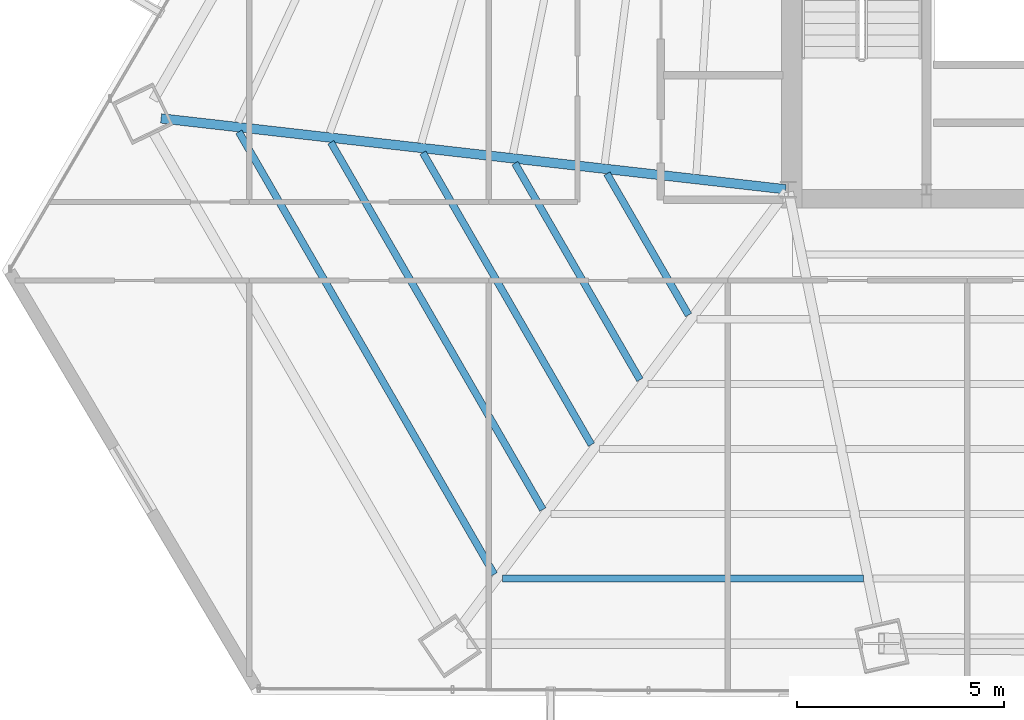
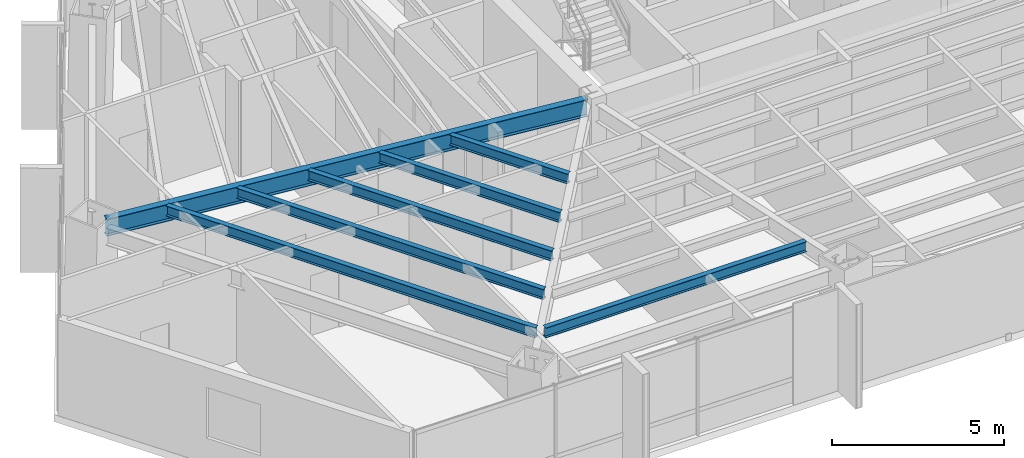
# One storey, part 7 of 37: 7 beams.
"""IFC4 building model written with IfcOpenShell, lengths in metres."""

from ifc_helpers import new_model, si_unit, direction, frame, origin, origin_2d, place, context, subcontext, project, spatial, i_section, extrude, source, transform, mapped, material, material_profile, profile_set, type_object, type_shapes, element, save


model = new_model("IFC4")

# Units and contexts
model_context = context("Model", 3, precision=1e-05, world=origin(), true_north=direction((0.0, 1.0)))
body_context = subcontext(model_context, "Body", "Model", "MODEL_VIEW")
ifc_project = project(units=[si_unit("LENGTHUNIT", "METRE"), si_unit("AREAUNIT", "SQUARE_METRE"), si_unit("VOLUMEUNIT", "CUBIC_METRE"), si_unit("PLANEANGLEUNIT", "RADIAN"), si_unit("MASSUNIT", "GRAM", prefix="KILO")], contexts=[model_context])

# Site, building, storey
site_placement = place(None, origin())
site = spatial("IfcSite", under=ifc_project, at=site_placement, CompositionType="ELEMENT")
building_placement = place(site_placement, origin())
building = spatial("IfcBuilding", under=site, at=building_placement, Name="Caelisora Broadcast Tower", CompositionType="ELEMENT")
storey_placement = place(building_placement, frame((0.0, 0.0, 105.39990234375)))
storey = spatial("IfcBuildingStorey", under=building, at=storey_placement, Name="L27", CompositionType="ELEMENT", Elevation=105.39990234375)

# Beams
ifc_material = material(Name="Steel Grade 350 (AS/NZS 3679.1)", Category="steel")
ifc_material_profile_1 = material_profile(ifc_material, i_section(OverallWidth=0.22802734375, OverallDepth=0.602294921875, WebThickness=0.010498046875, FlangeThickness=0.014892578125, at=origin_2d()), Name="Steel Grade 350 (AS/NZS 3679.1)")
ifc_profile_set_1 = profile_set([ifc_material_profile_1], Name="Steel Grade 350 (AS/NZS 3679.1)")
beam_type_1 = type_object("IfcBeamType", Name="PG04", PredefinedType="BEAM", material=ifc_profile_set_1)
shared_shape_1 = source(origin(), body_context, "Body", "SweptSolid", [
    extrude(i_section(OverallWidth=0.22802734375, OverallDepth=0.602294921875, WebThickness=0.010498046875, FlangeThickness=0.014892578125, at=origin_2d()), origin(), (0.0, 0.0, 1.0), 15.215576171875),
])
type_shapes(beam_type_1, [shared_shape_1])
beam_1_placement = place(storey_placement, frame((30.4404296875, 17.40673828125, 3.098876953125), z_axis=(-0.993612330494, 0.112847404447, 0.0), x_axis=(-0.112847404447, -0.993612330494, 0.0)))
element("IfcBeam", 1, at=beam_1_placement, inside=storey, type_object=beam_type_1, Name="L27 beam PG04", PredefinedType="BEAM", context=body_context, shape_type="MappedRepresentation", body=[
    mapped(shared_shape_1, transform((0.0, 0.0, 0.0), scale=1.0)),
])
ifc_material_profile_2 = material_profile(ifc_material, i_section(OverallWidth=0.172119140625, OverallDepth=0.358642578125, WebThickness=0.008056640625, FlangeThickness=0.012939453125, at=origin_2d()), Name="Steel Grade 350 (AS/NZS 3679.1)")
ifc_profile_set_2 = profile_set([ifc_material_profile_2], Name="Steel Grade 350 (AS/NZS 3679.1)")
beam_type_2 = type_object("IfcBeamType", Name="SB02", PredefinedType="JOIST", material=ifc_profile_set_2)
shared_shape_2 = source(origin(), body_context, "Body", "SweptSolid", [
    extrude(i_section(OverallWidth=0.172119140625, OverallDepth=0.358642578125, WebThickness=0.008056640625, FlangeThickness=0.012939453125, at=origin_2d()), origin(), (0.0, 0.0, 1.0), 3.949462890625),
])
beam_2_placement = place(storey_placement, frame((26.113525390625, 17.785888671875, 3.220703125), z_axis=(0.500041729889, -0.866001309681, 0.0), x_axis=(0.866001309681, 0.500041729889, 0.0)))
element("IfcBeam", 2, at=beam_2_placement, inside=storey, type_object=beam_type_2, Name="L27 beam SB02", PredefinedType="JOIST", context=body_context, shape_type="MappedRepresentation", body=[
    mapped(shared_shape_2, transform((0.0, 0.0, 0.0), scale=1.0)),
])
shared_shape_3 = source(origin(), body_context, "Body", "SweptSolid", [
    extrude(i_section(OverallWidth=0.172119140625, OverallDepth=0.358642578125, WebThickness=0.008056640625, FlangeThickness=0.012939453125, at=origin_2d()), origin(), (0.0, 0.0, 1.0), 6.0537109375),
])
beam_3_placement = place(storey_placement, frame((23.8857421875, 18.038818359375, 3.220703125), z_axis=(0.499999404726, -0.866025747466, 0.0), x_axis=(0.866025747466, 0.499999404726, 0.0)))
element("IfcBeam", 3, at=beam_3_placement, inside=storey, type_object=beam_type_2, Name="L27 beam SB02", PredefinedType="JOIST", context=body_context, shape_type="MappedRepresentation", body=[
    mapped(shared_shape_3, transform((0.0, 0.0, 0.0), scale=1.0)),
])
shared_shape_4 = source(origin(), body_context, "Body", "SweptSolid", [
    extrude(i_section(OverallWidth=0.172119140625, OverallDepth=0.358642578125, WebThickness=0.008056640625, FlangeThickness=0.012939453125, at=origin_2d()), origin(), (0.0, 0.0, 1.0), 8.158203125),
])
beam_4_placement = place(storey_placement, frame((21.657958984375, 18.2919921875, 3.220703125), z_axis=(0.50000135923, -0.866024619031, 0.0), x_axis=(0.866024619031, 0.50000135923, 0.0)))
element("IfcBeam", 4, at=beam_4_placement, inside=storey, type_object=beam_type_2, Name="L27 beam SB02", PredefinedType="JOIST", context=body_context, shape_type="MappedRepresentation", body=[
    mapped(shared_shape_4, transform((0.0, 0.0, 0.0), scale=1.0)),
])
shared_shape_5 = source(origin(), body_context, "Body", "SweptSolid", [
    extrude(i_section(OverallWidth=0.172119140625, OverallDepth=0.358642578125, WebThickness=0.008056640625, FlangeThickness=0.012939453125, at=origin_2d()), origin(), (0.0, 0.0, 1.0), 10.262939453125),
])
beam_5_placement = place(storey_placement, frame((19.429931640625, 18.544921875, 3.220703125), z_axis=(0.499992211244, -0.866029900578, 0.0), x_axis=(0.866029900578, 0.499992211244, 0.0)))
element("IfcBeam", 5, at=beam_5_placement, inside=storey, type_object=beam_type_2, Name="L27 beam SB02", PredefinedType="JOIST", context=body_context, shape_type="MappedRepresentation", body=[
    mapped(shared_shape_5, transform((0.0, 0.0, 0.0), scale=1.0)),
])
shared_shape_6 = source(origin(), body_context, "Body", "SweptSolid", [
    extrude(i_section(OverallWidth=0.172119140625, OverallDepth=0.358642578125, WebThickness=0.008056640625, FlangeThickness=0.012939453125, at=origin_2d()), origin(), (0.0, 0.0, 1.0), 12.367431640625),
])
beam_6_placement = place(storey_placement, frame((17.2021484375, 18.798095703125, 3.220703125), z_axis=(0.49999472462, -0.866028449505, 0.0), x_axis=(0.866028449505, 0.49999472462, 0.0)))
element("IfcBeam", 6, at=beam_6_placement, inside=storey, type_object=beam_type_2, Name="L27 beam SB02", PredefinedType="JOIST", context=body_context, shape_type="MappedRepresentation", body=[
    mapped(shared_shape_6, transform((0.0, 0.0, 0.0), scale=1.0)),
])
shared_shape_7 = source(origin(), body_context, "Body", "SweptSolid", [
    extrude(i_section(OverallWidth=0.172119140625, OverallDepth=0.358642578125, WebThickness=0.008056640625, FlangeThickness=0.012939453125, at=origin_2d()), origin(), (0.0, 0.0, 1.0), 8.7353515625),
])
type_shapes(beam_type_2, [shared_shape_2, shared_shape_3, shared_shape_4, shared_shape_5, shared_shape_6, shared_shape_7])
beam_7_placement = place(storey_placement, frame((23.585693359375, 7.98291015625, 3.220703125), z_axis=(1.0, 0.0, 0.0), x_axis=(0.0, 1.0, 0.0)))
element("IfcBeam", 7, at=beam_7_placement, inside=storey, type_object=beam_type_2, Name="L27 beam SB02", PredefinedType="JOIST", context=body_context, shape_type="MappedRepresentation", body=[
    mapped(shared_shape_7, transform((0.0, 0.0, 0.0), scale=1.0)),
])

save(model, "model.ifc")
